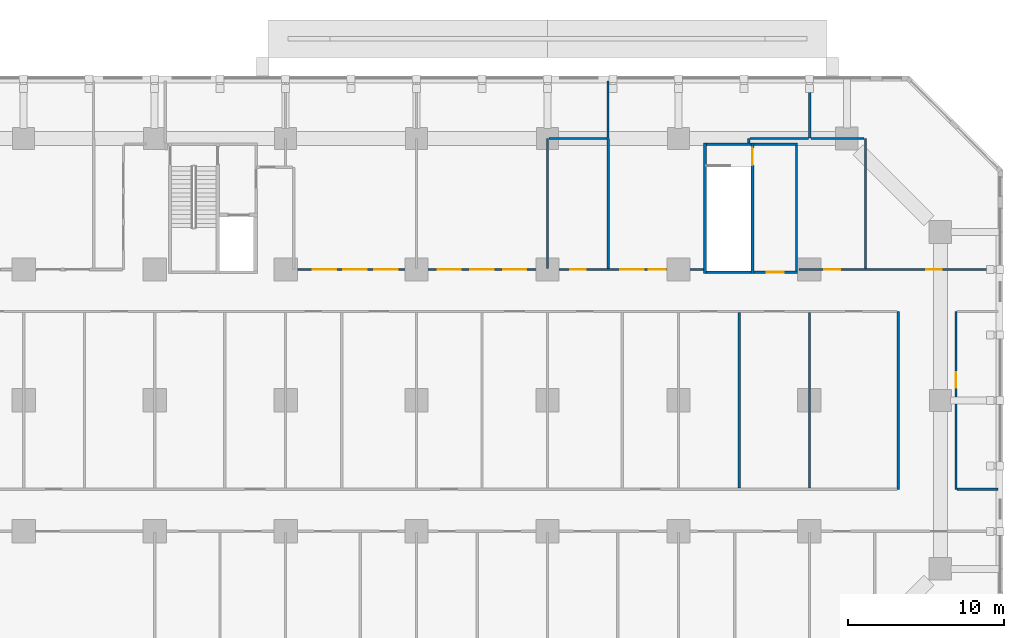
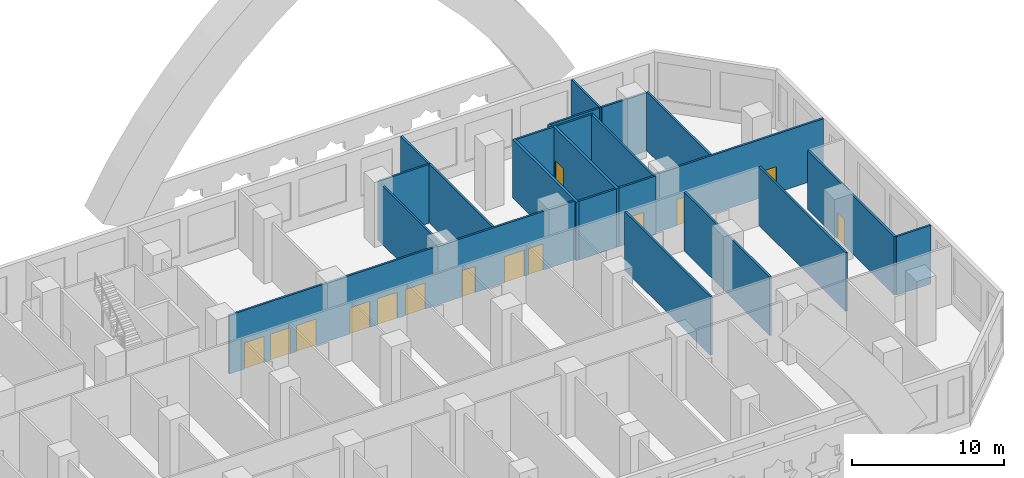
# One storey, part 16 of 25: 23 walls, 14 doors, 14 openings.
"""IFC4 building model written with IfcOpenShell, lengths in metres."""

from ifc_helpers import new_model, si_unit, direction, frame, frame_2d, origin, place, context, subcontext, project, spatial, rectangle, extrude, material, layer, layer_set, type_object, element, fill, save


model = new_model("IFC4")

# Units and contexts
model_context = context("Model", 3, precision=1e-05, world=origin(), true_north=direction((0.0, 1.0)))
body_context = subcontext(model_context, "Body", "Model", "MODEL_VIEW")
ifc_project = project(units=[si_unit("LENGTHUNIT", "METRE"), si_unit("AREAUNIT", "SQUARE_METRE"), si_unit("VOLUMEUNIT", "CUBIC_METRE"), si_unit("PLANEANGLEUNIT", "RADIAN"), si_unit("MASSUNIT", "GRAM", prefix="KILO")], contexts=[model_context])

# Site, building, storey
site_placement = place(None, origin())
site = spatial("IfcSite", under=ifc_project, at=site_placement, CompositionType="ELEMENT")
building_placement = place(site_placement, origin())
building = spatial("IfcBuilding", under=site, at=building_placement, Name="Kawkab Arch Medical Tower", CompositionType="ELEMENT")
storey_placement = place(building_placement, frame((0.0, 0.0, 29.0)))
storey = spatial("IfcBuildingStorey", under=building, at=storey_placement, Name="L06", CompositionType="ELEMENT", Elevation=29.0)

# Walls
ifc_material_1 = material(Name="Gypsum board on steel studs", Category="steel")
ifc_layer_1 = layer(ifc_material_1, 0.14990234375)
ifc_layer_set_1 = layer_set([ifc_layer_1], Name="Gypsum board on steel studs")
wall_type_1 = type_object("IfcWallType", Name="Core room partition 150", PredefinedType="PARTITIONING", material=ifc_layer_set_1)
wall_1_placement = place(storey_placement, frame((80.449951171875, -0.375, 0.0), z_axis=(0.0, 0.0, 1.0), x_axis=(1.0, 0.0, 0.0)))
element("IfcWall", 1, at=wall_1_placement, inside=storey, type_object=wall_type_1, Name="L06 core room partition", PredefinedType="PARTITIONING", context=body_context, shape_type="SweptSolid", body=[
    extrude(rectangle(XDim=2.800048828125, YDim=0.14990234375, at=frame_2d((1.39990234375, 0.0))), origin(), (0.0, 0.0, 1.0), 4.699951171875),
])
wall_2_placement = place(storey_placement, frame((83.175048828125, -8.5, 0.0), z_axis=(0.0, 0.0, 1.0), x_axis=(0.0, 1.0, 0.0)))
element("IfcWall", 2, at=wall_2_placement, inside=storey, type_object=wall_type_1, Name="L06 core room partition", PredefinedType="PARTITIONING", context=body_context, shape_type="SweptSolid", body=[
    extrude(rectangle(XDim=8.050048828125, YDim=0.14990234375, at=frame_2d((4.02490234375, 0.0))), origin(), (0.0, 0.0, 1.0), 4.699951171875),
])
ifc_material_2 = material(Name="Gypsum board partition on steel studs, mineral wool", Category="steel")
ifc_layer_2 = layer(ifc_material_2, 0.14990234375)
ifc_layer_set_2 = layer_set([ifc_layer_2], Name="Gypsum board partition on steel studs, mineral wool")
wall_type_2 = type_object("IfcWallType", Name="Partition 150", PredefinedType="PARTITIONING", material=ifc_layer_set_2)
wall_3_placement = place(storey_placement, frame((93.47509765625, -22.5, 0.0), z_axis=(0.0, 0.0, 1.0), x_axis=(1.0, 0.0, 0.0)))
element("IfcWall", 3, at=wall_3_placement, inside=storey, type_object=wall_type_2, Name="Partition 150 w045", PredefinedType="PARTITIONING", context=body_context, shape_type="SweptSolid", body=[
    extrude(rectangle(XDim=2.60498046875, YDim=0.14990234375, at=frame_2d((1.302490234375, 0.0))), origin(), (0.0, 0.0, 1.0), 4.699951171875),
])

# Wall, openings, doors
wall_4_placement = place(storey_placement, frame((51.0, -8.39990234375, 0.0), z_axis=(0.0, 0.0, 1.0), x_axis=(1.0, 0.0, 0.0)))
wall_4 = element("IfcWall", 4, at=wall_4_placement, inside=storey, type_object=wall_type_2, Name="Partition 150 w050", PredefinedType="PARTITIONING", context=body_context, shape_type="SweptSolid", body=[
    extrude(rectangle(XDim=26.199951171875, YDim=0.14990234375, at=frame_2d((13.10009765625, 0.0))), origin(), (0.0, 0.0, 1.0), 4.699951171875),
])
opening_1_placement = place(wall_4_placement, frame((1.14404296875, 0.0, 0.0)))
opening_1 = element("IfcOpeningElement", 5, at=opening_1_placement, cuts=wall_4, Name="Opening P06-008", PredefinedType="OPENING", context=body_context, shape_type="SweptSolid", body=[
    extrude(rectangle(XDim=1.5, YDim=2.10009765625, at=frame_2d((0.75, 1.050048828125))), frame((0.0, 0.0849609375, 0.0), z_axis=(0.0, -1.0, 0.0), x_axis=(1.0, 0.0, 0.0)), (0.0, 0.0, 1.0), 0.169921875),
])
opening_2_placement = place(wall_4_placement, frame((3.112060546875, 0.0, 0.0)))
opening_2 = element("IfcOpeningElement", 6, at=opening_2_placement, cuts=wall_4, Name="Opening P06-009", PredefinedType="OPENING", context=body_context, shape_type="SweptSolid", body=[
    extrude(rectangle(XDim=1.5, YDim=2.10009765625, at=frame_2d((0.75, 1.050048828125))), frame((0.0, 0.0849609375, 0.0), z_axis=(0.0, -1.0, 0.0), x_axis=(1.0, 0.0, 0.0)), (0.0, 0.0, 1.0), 0.169921875),
])
opening_3_placement = place(wall_4_placement, frame((5.0810546875, 0.0, 0.0)))
opening_3 = element("IfcOpeningElement", 7, at=opening_3_placement, cuts=wall_4, Name="Opening P06-010", PredefinedType="OPENING", context=body_context, shape_type="SweptSolid", body=[
    extrude(rectangle(XDim=1.5, YDim=2.10009765625, at=frame_2d((0.75, 1.050048828125))), frame((0.0, 0.0849609375, 0.0), z_axis=(0.0, -1.0, 0.0), x_axis=(1.0, 0.0, 0.0)), (0.0, 0.0, 1.0), 0.169921875),
])
opening_4_placement = place(wall_4_placement, frame((9.14990234375, 0.0, 0.0)))
opening_4 = element("IfcOpeningElement", 8, at=opening_4_placement, cuts=wall_4, Name="Opening P06-011", PredefinedType="OPENING", context=body_context, shape_type="SweptSolid", body=[
    extrude(rectangle(XDim=1.5, YDim=2.10009765625, at=frame_2d((0.75, 1.050048828125))), frame((0.0, 0.0849609375, 0.0), z_axis=(0.0, -1.0, 0.0), x_axis=(1.0, 0.0, 0.0)), (0.0, 0.0, 1.0), 0.169921875),
])
opening_5_placement = place(wall_4_placement, frame((11.25, 0.0, 0.0)))
opening_5 = element("IfcOpeningElement", 9, at=opening_5_placement, cuts=wall_4, Name="Opening P06-012", PredefinedType="OPENING", context=body_context, shape_type="SweptSolid", body=[
    extrude(rectangle(XDim=1.5, YDim=2.10009765625, at=frame_2d((0.75, 1.050048828125))), frame((0.0, 0.0849609375, 0.0), z_axis=(0.0, -1.0, 0.0), x_axis=(1.0, 0.0, 0.0)), (0.0, 0.0, 1.0), 0.169921875),
])
opening_6_placement = place(wall_4_placement, frame((13.35009765625, 0.0, 0.0)))
opening_6 = element("IfcOpeningElement", 10, at=opening_6_placement, cuts=wall_4, Name="Opening P06-013", PredefinedType="OPENING", context=body_context, shape_type="SweptSolid", body=[
    extrude(rectangle(XDim=1.5, YDim=2.10009765625, at=frame_2d((0.75, 1.050048828125))), frame((0.0, 0.0849609375, 0.0), z_axis=(0.0, -1.0, 0.0), x_axis=(1.0, 0.0, 0.0)), (0.0, 0.0, 1.0), 0.169921875),
])
opening_7_placement = place(wall_4_placement, frame((17.64990234375, 0.0, 0.0)))
opening_7 = element("IfcOpeningElement", 11, at=opening_7_placement, cuts=wall_4, Name="Opening P06-020", PredefinedType="OPENING", context=body_context, shape_type="SweptSolid", body=[
    extrude(rectangle(XDim=1.0, YDim=2.10009765625, at=frame_2d((0.5, 1.050048828125))), frame((0.0, 0.0849609375, 0.0), z_axis=(0.0, -1.0, 0.0), x_axis=(1.0, 0.0, 0.0)), (0.0, 0.0, 1.0), 0.169921875),
])
opening_8_placement = place(wall_4_placement, frame((20.875, 0.0, 0.0)))
opening_8 = element("IfcOpeningElement", 12, at=opening_8_placement, cuts=wall_4, Name="Opening P06-014", PredefinedType="OPENING", context=body_context, shape_type="SweptSolid", body=[
    extrude(rectangle(XDim=1.5, YDim=2.10009765625, at=frame_2d((0.75, 1.050048828125))), frame((0.0, 0.0849609375, 0.0), z_axis=(0.0, -1.0, 0.0), x_axis=(1.0, 0.0, 0.0)), (0.0, 0.0, 1.0), 0.169921875),
])
opening_9_placement = place(wall_4_placement, frame((22.699951171875, 0.0, 0.0)))
opening_9 = element("IfcOpeningElement", 13, at=opening_9_placement, cuts=wall_4, Name="Opening P06-001", PredefinedType="OPENING", context=body_context, shape_type="SweptSolid", body=[
    extrude(rectangle(XDim=1.10009765625, YDim=2.10009765625, at=frame_2d((0.550048828125, 1.050048828125))), frame((0.0, 0.0849609375, 0.0), z_axis=(0.0, -1.0, 0.0), x_axis=(1.0, 0.0, 0.0)), (0.0, 0.0, 1.0), 0.169921875),
])
ifc_material_3 = material(Name="Hollow metal door leaf")
door_type_1 = type_object("IfcDoorType", Name="Double door 1100x2100 FD30S", OperationType="NOTDEFINED", PredefinedType="DOOR", material=ifc_material_3)
door_1_placement = place(opening_9_placement, origin())
door_1 = element("IfcDoor", 14, at=door_1_placement, inside=storey, type_object=door_type_1, Name="Door P06-001", OperationType="DOUBLE_DOOR_SINGLE_SWING", OverallHeight=2.10009765625, OverallWidth=1.10009765625, PredefinedType="DOOR", context=body_context, shape_type="SweptSolid", body=[
    extrude(rectangle(XDim=1.10009765625, YDim=2.10009765625, at=frame_2d((0.550048828125, 1.050048828125))), frame((0.0, 0.02490234375, 0.0), z_axis=(0.0, -1.0, 0.0), x_axis=(1.0, 0.0, 0.0)), (0.0, 0.0, 1.0), 0.050048828125),
])
fill(opening_9, door_1)
ifc_material_4 = material(Name="Hollow metal door leaf")
door_type_2 = type_object("IfcDoorType", Name="Double door 1500x2100 FD30S", OperationType="NOTDEFINED", PredefinedType="DOOR", material=ifc_material_4)
door_2_placement = place(opening_1_placement, origin())
door_2 = element("IfcDoor", 15, at=door_2_placement, inside=storey, type_object=door_type_2, Name="Door P06-008", OperationType="DOUBLE_DOOR_SINGLE_SWING", OverallHeight=2.10009765625, OverallWidth=1.5, PredefinedType="DOOR", context=body_context, shape_type="SweptSolid", body=[
    extrude(rectangle(XDim=1.5, YDim=2.10009765625, at=frame_2d((0.75, 1.050048828125))), frame((0.0, 0.02490234375, 0.0), z_axis=(0.0, -1.0, 0.0), x_axis=(1.0, 0.0, 0.0)), (0.0, 0.0, 1.0), 0.050048828125),
])
fill(opening_1, door_2)
door_3_placement = place(opening_2_placement, origin())
door_3 = element("IfcDoor", 16, at=door_3_placement, inside=storey, type_object=door_type_2, Name="Door P06-009", OperationType="DOUBLE_DOOR_SINGLE_SWING", OverallHeight=2.10009765625, OverallWidth=1.5, PredefinedType="DOOR", context=body_context, shape_type="SweptSolid", body=[
    extrude(rectangle(XDim=1.5, YDim=2.10009765625, at=frame_2d((0.75, 1.050048828125))), frame((0.0, 0.02490234375, 0.0), z_axis=(0.0, -1.0, 0.0), x_axis=(1.0, 0.0, 0.0)), (0.0, 0.0, 1.0), 0.050048828125),
])
fill(opening_2, door_3)
door_4_placement = place(opening_3_placement, origin())
door_4 = element("IfcDoor", 17, at=door_4_placement, inside=storey, type_object=door_type_2, Name="Door P06-010", OperationType="DOUBLE_DOOR_SINGLE_SWING", OverallHeight=2.10009765625, OverallWidth=1.5, PredefinedType="DOOR", context=body_context, shape_type="SweptSolid", body=[
    extrude(rectangle(XDim=1.5, YDim=2.10009765625, at=frame_2d((0.75, 1.050048828125))), frame((0.0, 0.02490234375, 0.0), z_axis=(0.0, -1.0, 0.0), x_axis=(1.0, 0.0, 0.0)), (0.0, 0.0, 1.0), 0.050048828125),
])
fill(opening_3, door_4)
door_5_placement = place(opening_4_placement, origin())
door_5 = element("IfcDoor", 18, at=door_5_placement, inside=storey, type_object=door_type_2, Name="Door P06-011", OperationType="DOUBLE_DOOR_SINGLE_SWING", OverallHeight=2.10009765625, OverallWidth=1.5, PredefinedType="DOOR", context=body_context, shape_type="SweptSolid", body=[
    extrude(rectangle(XDim=1.5, YDim=2.10009765625, at=frame_2d((0.75, 1.050048828125))), frame((0.0, 0.02490234375, 0.0), z_axis=(0.0, -1.0, 0.0), x_axis=(1.0, 0.0, 0.0)), (0.0, 0.0, 1.0), 0.050048828125),
])
fill(opening_4, door_5)
door_6_placement = place(opening_5_placement, origin())
door_6 = element("IfcDoor", 19, at=door_6_placement, inside=storey, type_object=door_type_2, Name="Door P06-012", OperationType="DOUBLE_DOOR_SINGLE_SWING", OverallHeight=2.10009765625, OverallWidth=1.5, PredefinedType="DOOR", context=body_context, shape_type="SweptSolid", body=[
    extrude(rectangle(XDim=1.5, YDim=2.10009765625, at=frame_2d((0.75, 1.050048828125))), frame((0.0, 0.02490234375, 0.0), z_axis=(0.0, -1.0, 0.0), x_axis=(1.0, 0.0, 0.0)), (0.0, 0.0, 1.0), 0.050048828125),
])
fill(opening_5, door_6)
door_7_placement = place(opening_6_placement, origin())
door_7 = element("IfcDoor", 20, at=door_7_placement, inside=storey, type_object=door_type_2, Name="Door P06-013", OperationType="DOUBLE_DOOR_SINGLE_SWING", OverallHeight=2.10009765625, OverallWidth=1.5, PredefinedType="DOOR", context=body_context, shape_type="SweptSolid", body=[
    extrude(rectangle(XDim=1.5, YDim=2.10009765625, at=frame_2d((0.75, 1.050048828125))), frame((0.0, 0.02490234375, 0.0), z_axis=(0.0, -1.0, 0.0), x_axis=(1.0, 0.0, 0.0)), (0.0, 0.0, 1.0), 0.050048828125),
])
fill(opening_6, door_7)
door_8_placement = place(opening_8_placement, origin())
door_8 = element("IfcDoor", 21, at=door_8_placement, inside=storey, type_object=door_type_2, Name="Door P06-014", OperationType="DOUBLE_DOOR_SINGLE_SWING", OverallHeight=2.10009765625, OverallWidth=1.5, PredefinedType="DOOR", context=body_context, shape_type="SweptSolid", body=[
    extrude(rectangle(XDim=1.5, YDim=2.10009765625, at=frame_2d((0.75, 1.050048828125))), frame((0.0, 0.02490234375, 0.0), z_axis=(0.0, -1.0, 0.0), x_axis=(1.0, 0.0, 0.0)), (0.0, 0.0, 1.0), 0.050048828125),
])
fill(opening_8, door_8)
ifc_material_5 = material(Name="Hollow metal door leaf")
door_type_3 = type_object("IfcDoorType", Name="Single door 1000x2100 FD30S", OperationType="NOTDEFINED", PredefinedType="DOOR", material=ifc_material_5)
door_9_placement = place(opening_7_placement, origin())
door_9 = element("IfcDoor", 22, at=door_9_placement, inside=storey, type_object=door_type_3, Name="Door P06-020", OperationType="SINGLE_SWING_RIGHT", OverallHeight=2.10009765625, OverallWidth=1.0, PredefinedType="DOOR", context=body_context, shape_type="SweptSolid", body=[
    extrude(rectangle(XDim=1.0, YDim=2.10009765625, at=frame_2d((0.5, 1.050048828125))), frame((0.0, 0.02490234375, 0.0), z_axis=(0.0, -1.0, 0.0), x_axis=(1.0, 0.0, 0.0)), (0.0, 0.0, 1.0), 0.050048828125),
])
fill(opening_7, door_9)

wall_5_placement = place(storey_placement, frame((83.330078125, -8.39990234375, 0.0), z_axis=(0.0, 0.0, 1.0), x_axis=(1.0, 0.0, 0.0)))
wall_5 = element("IfcWall", 23, at=wall_5_placement, inside=storey, type_object=wall_type_2, Name="Partition 150 w051", PredefinedType="PARTITIONING", context=body_context, shape_type="SweptSolid", body=[
    extrude(rectangle(XDim=12.75, YDim=0.14990234375, at=frame_2d((6.375, 0.0))), origin(), (0.0, 0.0, 1.0), 4.699951171875),
])
opening_10_placement = place(wall_5_placement, frame((1.635009765625, 0.0, 0.0)))
opening_10 = element("IfcOpeningElement", 24, at=opening_10_placement, cuts=wall_5, Name="Opening P06-021", PredefinedType="OPENING", context=body_context, shape_type="SweptSolid", body=[
    extrude(rectangle(XDim=1.0, YDim=2.10009765625, at=frame_2d((0.5, 1.050048828125))), frame((0.0, 0.0849609375, 0.0), z_axis=(0.0, -1.0, 0.0), x_axis=(1.0, 0.0, 0.0)), (0.0, 0.0, 1.0), 0.169921875),
])
opening_11_placement = place(wall_5_placement, frame((8.169921875, 0.0, 0.0)))
opening_11 = element("IfcOpeningElement", 25, at=opening_11_placement, cuts=wall_5, Name="Opening P06-022", PredefinedType="OPENING", context=body_context, shape_type="SweptSolid", body=[
    extrude(rectangle(XDim=1.0, YDim=2.10009765625, at=frame_2d((0.5, 1.050048828125))), frame((0.0, 0.0849609375, 0.0), z_axis=(0.0, -1.0, 0.0), x_axis=(1.0, 0.0, 0.0)), (0.0, 0.0, 1.0), 0.169921875),
])
door_10_placement = place(opening_10_placement, origin())
door_10 = element("IfcDoor", 26, at=door_10_placement, inside=storey, type_object=door_type_3, Name="Door P06-021", OperationType="SINGLE_SWING_LEFT", OverallHeight=2.10009765625, OverallWidth=1.0, PredefinedType="DOOR", context=body_context, shape_type="SweptSolid", body=[
    extrude(rectangle(XDim=1.0, YDim=2.10009765625, at=frame_2d((0.5, 1.050048828125))), frame((0.0, 0.02490234375, 0.0), z_axis=(0.0, -1.0, 0.0), x_axis=(1.0, 0.0, 0.0)), (0.0, 0.0, 1.0), 0.050048828125),
])
fill(opening_10, door_10)
door_11_placement = place(opening_11_placement, origin())
door_11 = element("IfcDoor", 27, at=door_11_placement, inside=storey, type_object=door_type_3, Name="Door P06-022", OperationType="SINGLE_SWING_RIGHT", OverallHeight=2.10009765625, OverallWidth=1.0, PredefinedType="DOOR", context=body_context, shape_type="SweptSolid", body=[
    extrude(rectangle(XDim=1.0, YDim=2.10009765625, at=frame_2d((0.5, 1.050048828125))), frame((0.0, 0.02490234375, 0.0), z_axis=(0.0, -1.0, 0.0), x_axis=(1.0, 0.0, 0.0)), (0.0, 0.0, 1.0), 0.050048828125),
])
fill(opening_11, door_11)

# Walls
wall_6_placement = place(storey_placement, frame((67.294921875, 0.0, 0.0), z_axis=(0.0, 0.0, 1.0), x_axis=(1.0, 0.0, 0.0)))
element("IfcWall", 28, at=wall_6_placement, inside=storey, type_object=wall_type_2, Name="Partition 150 w055", PredefinedType="PARTITIONING", context=body_context, shape_type="SweptSolid", body=[
    extrude(rectangle(XDim=3.7099609375, YDim=0.14990234375, at=frame_2d((1.85498046875, 0.0))), origin(), (0.0, 0.0, 1.0), 4.699951171875),
])
wall_7_placement = place(storey_placement, frame((80.177978515625, 0.0, 0.0), z_axis=(0.0, 0.0, 1.0), x_axis=(1.0, 0.0, 0.0)))
element("IfcWall", 29, at=wall_7_placement, inside=storey, type_object=wall_type_2, Name="Partition 150 w056", PredefinedType="PARTITIONING", context=body_context, shape_type="SweptSolid", body=[
    extrude(rectangle(XDim=3.7470703125, YDim=0.14990234375, at=frame_2d((1.87353515625, 0.0))), origin(), (0.0, 0.0, 1.0), 4.699951171875),
])
wall_8_placement = place(storey_placement, frame((84.094970703125, 0.0, 0.0), z_axis=(0.0, 0.0, 1.0), x_axis=(1.0, 0.0, 0.0)))
element("IfcWall", 30, at=wall_8_placement, inside=storey, type_object=wall_type_2, Name="Partition 150 w057", PredefinedType="PARTITIONING", context=body_context, shape_type="SweptSolid", body=[
    extrude(rectangle(XDim=3.409912109375, YDim=0.14990234375, at=frame_2d((1.705078125, 0.0))), origin(), (0.0, 0.0, 1.0), 4.699951171875),
])
wall_9_placement = place(storey_placement, frame((67.199951171875, -8.324951171875, 0.0), z_axis=(0.0, 0.0, 1.0), x_axis=(0.0, 1.0, 0.0)))
element("IfcWall", 31, at=wall_9_placement, inside=storey, type_object=wall_type_2, Name="Partition 150 w103", PredefinedType="PARTITIONING", context=body_context, shape_type="SweptSolid", body=[
    extrude(rectangle(XDim=8.322998046875, YDim=0.14990234375, at=frame_2d((4.16162109375, 0.0))), origin(), (0.0, 0.0, 1.0), 4.699951171875),
])
wall_10_placement = place(storey_placement, frame((71.080078125, 0.02001953125, 0.0), z_axis=(0.0, 0.0, 1.0), x_axis=(0.0, 1.0, 0.0)))
element("IfcWall", 32, at=wall_10_placement, inside=storey, type_object=wall_type_2, Name="Partition 150 w104", PredefinedType="PARTITIONING", context=body_context, shape_type="SweptSolid", body=[
    extrude(rectangle(XDim=3.659912109375, YDim=0.14990234375, at=frame_2d((1.830078125, 0.0))), origin(), (0.0, 0.0, 1.0), 4.699951171875),
])
wall_11_placement = place(storey_placement, frame((71.10009765625, -8.324951171875, 0.0), z_axis=(0.0, 0.0, 1.0), x_axis=(0.0, 1.0, 0.0)))
element("IfcWall", 33, at=wall_11_placement, inside=storey, type_object=wall_type_2, Name="Partition 150 w105", PredefinedType="PARTITIONING", context=body_context, shape_type="SweptSolid", body=[
    extrude(rectangle(XDim=8.322021484375, YDim=0.14990234375, at=frame_2d((4.1611328125, 0.0))), origin(), (0.0, 0.0, 1.0), 4.699951171875),
])
wall_12_placement = place(storey_placement, frame((79.5, -22.425048828125, 0.0), z_axis=(0.0, 0.0, 1.0), x_axis=(0.0, 1.0, 0.0)))
element("IfcWall", 34, at=wall_12_placement, inside=storey, type_object=wall_type_2, Name="Partition 150 w111", PredefinedType="PARTITIONING", context=body_context, shape_type="SweptSolid", body=[
    extrude(rectangle(XDim=11.25, YDim=0.14990234375, at=frame_2d((5.625, 0.0))), origin(), (0.0, 0.0, 1.0), 4.699951171875),
])
wall_13_placement = place(storey_placement, frame((80.10009765625, -0.300048828125, 0.0), z_axis=(0.0, 0.0, 1.0), x_axis=(0.0, 1.0, 0.0)))
element("IfcWall", 35, at=wall_13_placement, inside=storey, type_object=wall_type_2, Name="Partition 150 w112", PredefinedType="PARTITIONING", context=body_context, shape_type="SweptSolid", body=[
    extrude(rectangle(XDim=0.297119140625, YDim=0.14990234375, at=frame_2d((0.1484375, 0.0))), origin(), (0.0, 0.0, 1.0), 4.699951171875),
])
wall_14_placement = place(storey_placement, frame((84.0, -22.425048828125, 0.0), z_axis=(0.0, 0.0, 1.0), x_axis=(0.0, 1.0, 0.0)))
element("IfcWall", 36, at=wall_14_placement, inside=storey, type_object=wall_type_2, Name="Partition 150 w114", PredefinedType="PARTITIONING", context=body_context, shape_type="SweptSolid", body=[
    extrude(rectangle(XDim=11.25, YDim=0.14990234375, at=frame_2d((5.625, 0.0))), origin(), (0.0, 0.0, 1.0), 4.699951171875),
])
wall_15_placement = place(storey_placement, frame((84.02001953125, 0.02001953125, 0.0), z_axis=(0.0, 0.0, 1.0), x_axis=(0.0, 1.0, 0.0)))
element("IfcWall", 37, at=wall_15_placement, inside=storey, type_object=wall_type_2, Name="Partition 150 w115", PredefinedType="PARTITIONING", context=body_context, shape_type="SweptSolid", body=[
    extrude(rectangle(XDim=3.659912109375, YDim=0.14990234375, at=frame_2d((1.830078125, 0.0))), origin(), (0.0, 0.0, 1.0), 4.699951171875),
])
wall_16_placement = place(storey_placement, frame((87.60009765625, -8.324951171875, 0.0), z_axis=(0.0, 0.0, 1.0), x_axis=(0.0, 1.0, 0.0)))
element("IfcWall", 38, at=wall_16_placement, inside=storey, type_object=wall_type_2, Name="Partition 150 w116", PredefinedType="PARTITIONING", context=body_context, shape_type="SweptSolid", body=[
    extrude(rectangle(XDim=8.322998046875, YDim=0.14990234375, at=frame_2d((4.16162109375, 0.0))), origin(), (0.0, 0.0, 1.0), 4.699951171875),
])
wall_17_placement = place(storey_placement, frame((89.699951171875, -22.5, 0.0), z_axis=(0.0, 0.0, 1.0), x_axis=(0.0, 1.0, 0.0)))
element("IfcWall", 39, at=wall_17_placement, inside=storey, type_object=wall_type_2, Name="Partition 150 w118", PredefinedType="PARTITIONING", context=body_context, shape_type="SweptSolid", body=[
    extrude(rectangle(XDim=11.39990234375, YDim=0.14990234375, at=frame_2d((5.699951171875, 0.0))), origin(), (0.0, 0.0, 1.0), 4.699951171875),
])

# Wall, opening, door
wall_18_placement = place(storey_placement, frame((93.39990234375, -22.5, 0.0), z_axis=(0.0, 0.0, 1.0), x_axis=(0.0, 1.0, 0.0)))
wall_18 = element("IfcWall", 40, at=wall_18_placement, inside=storey, type_object=wall_type_2, Name="Partition 150 w119", PredefinedType="PARTITIONING", context=body_context, shape_type="SweptSolid", body=[
    extrude(rectangle(XDim=11.39990234375, YDim=0.14990234375, at=frame_2d((5.699951171875, 0.0))), origin(), (0.0, 0.0, 1.0), 4.699951171875),
])
opening_12_placement = place(wall_18_placement, frame((6.5, 0.0, 0.0)))
opening_12 = element("IfcOpeningElement", 41, at=opening_12_placement, cuts=wall_18, Name="Opening P06-073", PredefinedType="OPENING", context=body_context, shape_type="SweptSolid", body=[
    extrude(rectangle(XDim=1.0, YDim=2.10009765625, at=frame_2d((0.5, 1.050048828125))), frame((0.0, 0.0849609375, 0.0), z_axis=(0.0, -1.0, 0.0), x_axis=(1.0, 0.0, 0.0)), (0.0, 0.0, 1.0), 0.169921875),
])
door_12_placement = place(opening_12_placement, origin())
door_12 = element("IfcDoor", 42, at=door_12_placement, inside=storey, type_object=door_type_3, Name="Door P06-073", OperationType="SINGLE_SWING_LEFT", OverallHeight=2.10009765625, OverallWidth=1.0, PredefinedType="DOOR", context=body_context, shape_type="SweptSolid", body=[
    extrude(rectangle(XDim=1.0, YDim=2.10009765625, at=frame_2d((0.5, 1.050048828125))), frame((0.0, 0.02490234375, 0.0), z_axis=(0.0, -1.0, 0.0), x_axis=(1.0, 0.0, 0.0)), (0.0, 0.0, 1.0), 0.050048828125),
])
fill(opening_12, door_12)

# Walls
ifc_material_6 = material(Name="Concrete C50/60", Category="concrete")
ifc_layer_3 = layer(ifc_material_6, 0.14990234375)
ifc_layer_set_3 = layer_set([ifc_layer_3], Name="Concrete C50/60")
wall_type_3 = type_object("IfcWallType", Name="Stair enclosure wall 150 C50/60", PredefinedType="SHEAR", material=ifc_layer_set_3)
for number, where, z_axis, x_axis, name in (
    (43, (77.39990234375, -0.375, 0.0), (0.0, 0.0, 1.0), (1.0, 0.0, 0.0), "L06 stair enclosure wall"),
    (44, (77.39990234375, -8.574951171875, 0.0), (0.0, 0.0, 1.0), (1.0, 0.0, 0.0), "L06 stair enclosure wall"),
):
    element("IfcWall", number, at=place(storey_placement, frame(where, z_axis=z_axis, x_axis=x_axis)), inside=storey, type_object=wall_type_3, Name=name, PredefinedType="SHEAR", context=body_context, shape_type="SweptSolid", body=[
        extrude(rectangle(XDim=2.85009765625, YDim=0.14990234375, at=frame_2d((1.425048828125, 0.0))), origin(), (0.0, 0.0, 1.0), 4.699951171875),
    ])

# Wall, opening, door
wall_19_placement = place(storey_placement, frame((80.449951171875, -8.574951171875, 0.0), z_axis=(0.0, 0.0, 1.0), x_axis=(1.0, 0.0, 0.0)))
wall_19 = element("IfcWall", 45, at=wall_19_placement, inside=storey, type_object=wall_type_3, Name="L06 stair enclosure wall", PredefinedType="SHEAR", context=body_context, shape_type="SweptSolid", body=[
    extrude(rectangle(XDim=2.800048828125, YDim=0.14990234375, at=frame_2d((1.39990234375, 0.0))), origin(), (0.0, 0.0, 1.0), 4.699951171875),
])
opening_13_placement = place(wall_19_placement, frame((0.800048828125, 0.0, 0.0)))
opening_13 = element("IfcOpeningElement", 46, at=opening_13_placement, cuts=wall_19, Name="Opening SD", PredefinedType="OPENING", context=body_context, shape_type="SweptSolid", body=[
    extrude(rectangle(XDim=1.10009765625, YDim=2.10009765625, at=frame_2d((0.550048828125, 1.050048828125))), frame((0.0, 0.0849609375, 0.0), z_axis=(0.0, -1.0, 0.0), x_axis=(1.0, 0.0, 0.0)), (0.0, 0.0, 1.0), 0.169921875),
])
ifc_material_7 = material(Name="Hollow metal fire door leaf")
door_type_4 = type_object("IfcDoorType", Name="Exit stair door 1100", OperationType="SINGLE_SWING_LEFT", PredefinedType="DOOR", material=ifc_material_7)
door_13_placement = place(opening_13_placement, origin())
door_13 = element("IfcDoor", 47, at=door_13_placement, inside=storey, type_object=door_type_4, Name="L06 Exit stair ST7 lobby door", OperationType="SINGLE_SWING_LEFT", OverallHeight=2.10009765625, OverallWidth=1.10009765625, PredefinedType="DOOR", context=body_context, shape_type="SweptSolid", body=[
    extrude(rectangle(XDim=1.10009765625, YDim=2.10009765625, at=frame_2d((0.550048828125, 1.050048828125))), frame((0.0, 0.02490234375, 0.0), z_axis=(0.0, -1.0, 0.0), x_axis=(1.0, 0.0, 0.0)), (0.0, 0.0, 1.0), 0.050048828125),
])
fill(opening_13, door_13)

# Wall
ifc_material_8 = material(Name="Concrete C50/60", Category="concrete")
ifc_layer_4 = layer(ifc_material_8, 0.199951171875)
ifc_layer_set_4 = layer_set([ifc_layer_4], Name="Concrete C50/60")
wall_type_4 = type_object("IfcWallType", Name="Stair enclosure wall 200 C50/60", PredefinedType="SHEAR", material=ifc_layer_set_4)
wall_20_placement = place(storey_placement, frame((77.300048828125, -8.64990234375, 0.0), z_axis=(0.0, 0.0, 1.0), x_axis=(0.0, 1.0, 0.0)))
element("IfcWall", 48, at=wall_20_placement, inside=storey, type_object=wall_type_4, Name="L06 stair enclosure wall", PredefinedType="SHEAR", context=body_context, shape_type="SweptSolid", body=[
    extrude(rectangle(XDim=8.349853515625, YDim=0.199951171875, at=frame_2d((4.1748046875, 0.0))), origin(), (0.0, 0.0, 1.0), 4.699951171875),
])

# Wall, opening, door
wall_21_placement = place(storey_placement, frame((80.35009765625, -8.64990234375, 0.0), z_axis=(0.0, 0.0, 1.0), x_axis=(0.0, 1.0, 0.0)))
wall_21 = element("IfcWall", 49, at=wall_21_placement, inside=storey, type_object=wall_type_4, Name="L06 stair enclosure wall", PredefinedType="SHEAR", context=body_context, shape_type="SweptSolid", body=[
    extrude(rectangle(XDim=8.349853515625, YDim=0.199951171875, at=frame_2d((4.1748046875, 0.0))), origin(), (0.0, 0.0, 1.0), 4.699951171875),
])
opening_14_placement = place(wall_21_placement, frame((6.949951171875, 0.0, 0.0)))
opening_14 = element("IfcOpeningElement", 50, at=opening_14_placement, cuts=wall_21, Name="Opening SD", PredefinedType="OPENING", context=body_context, shape_type="SweptSolid", body=[
    extrude(rectangle(XDim=1.10009765625, YDim=2.10009765625, at=frame_2d((0.550048828125, 1.050048828125))), frame((0.0, 0.10986328125, 0.0), z_axis=(0.0, -1.0, 0.0), x_axis=(1.0, 0.0, 0.0)), (0.0, 0.0, 1.0), 0.219970703125),
])
door_14_placement = place(opening_14_placement, origin())
door_14 = element("IfcDoor", 51, at=door_14_placement, inside=storey, type_object=door_type_4, Name="L06 Exit stair ST7 door", OperationType="SINGLE_SWING_LEFT", OverallHeight=2.10009765625, OverallWidth=1.10009765625, PredefinedType="DOOR", context=body_context, shape_type="SweptSolid", body=[
    extrude(rectangle(XDim=1.10009765625, YDim=2.10009765625, at=frame_2d((0.550048828125, 1.050048828125))), frame((0.0, 0.02490234375, 0.0), z_axis=(0.0, -1.0, 0.0), x_axis=(1.0, 0.0, 0.0)), (0.0, 0.0, 1.0), 0.050048828125),
])
fill(opening_14, door_14)

save(model, "model.ifc")
